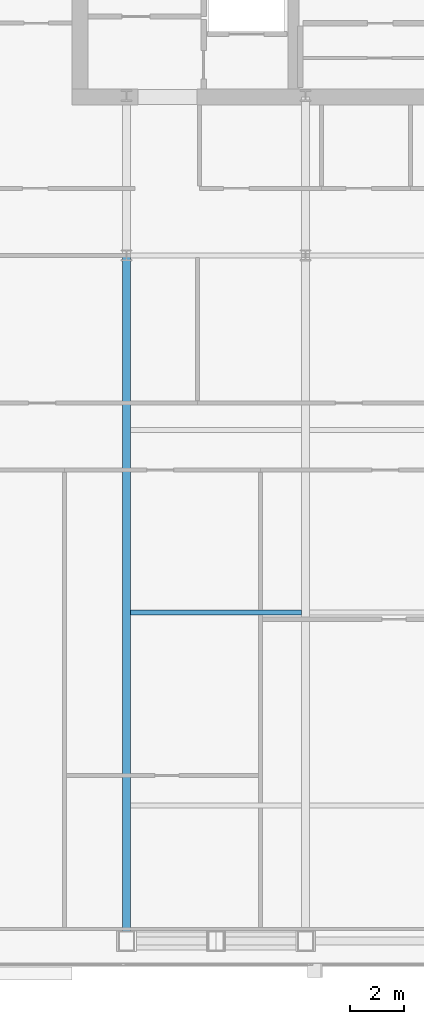
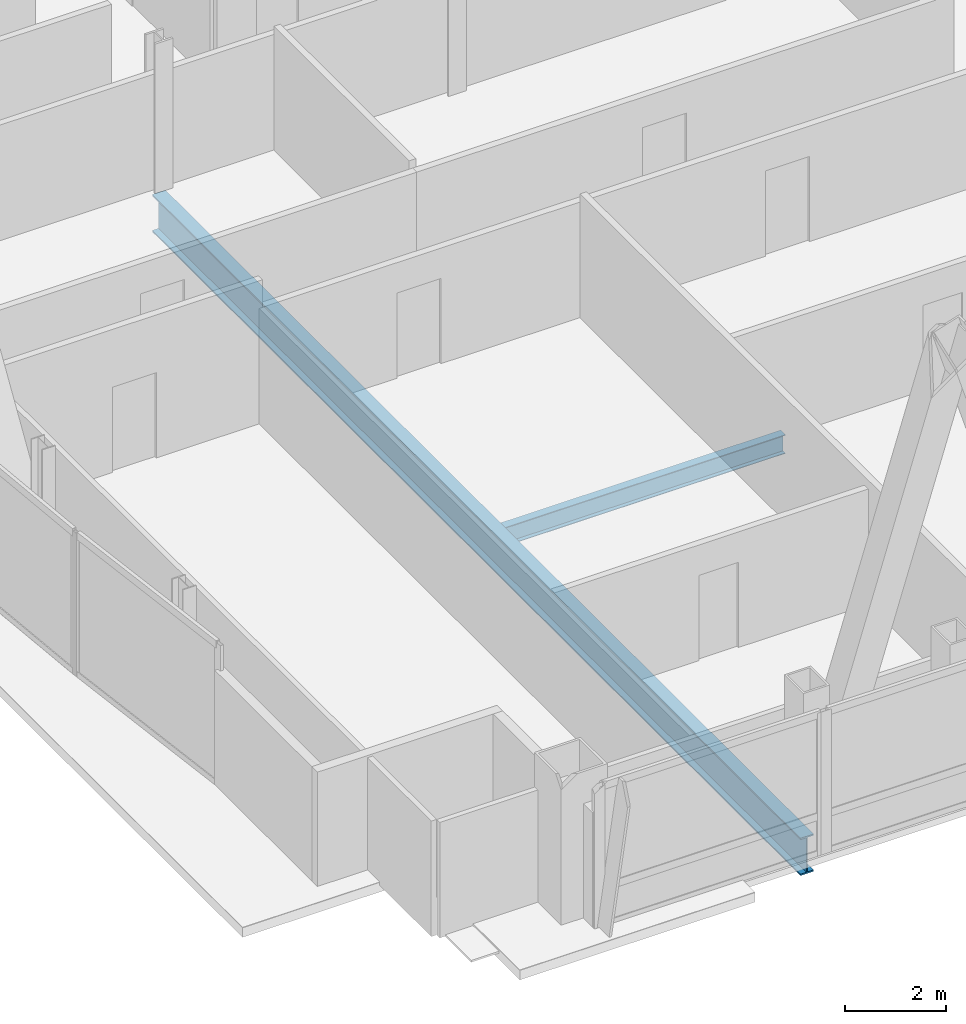
# One storey, part 7 of 30: 2 beams.
"""IFC4 building model written with IfcOpenShell, lengths in metres."""

import ifcopenshell
import ifcopenshell.guid

model = None  # the IFC model being written
_history = None  # IfcOwnerHistory: only IFC2X3 demands one
_inside = {}  # id of a spatial element -> (the spatial element, [elements in it])
_under = {}  # id of a project, library or spatial element -> (it, [spatial elements below it])
_declared = {}  # id of a project -> (the project, [libraries it declares])
_typed = {}  # id of a type object -> (the type object, [elements of that type])
_made_of = {}  # id of a material, layer set ... -> (it, [elements and type objects made of it])


def new_model(schema):
    """Start an empty IFC model of exactly this schema.

    Asked for "IFC4X3", IfcOpenShell would pick the latest addendum, in which some entities
    have other attributes; the version numbers below select the first issue.
    IFC2X3 requires an IfcOwnerHistory on every rooted entity: one is made here for all.
    """
    global model, _history
    if schema == "IFC4X3":
        model = ifcopenshell.file(schema_version=(4, 3, 0, 0))
    else:
        model = ifcopenshell.file(schema=schema)
    _inside.clear()
    _under.clear()
    _declared.clear()
    _typed.clear()
    _made_of.clear()
    _history = None
    if model.schema == "IFC2X3":
        org = make("IfcOrganization", Name="unknown")
        user = make(
            "IfcPersonAndOrganization",
            ThePerson=make("IfcPerson", FamilyName="unknown"),
            TheOrganization=org,
        )
        app = make(
            "IfcApplication",
            ApplicationDeveloper=org,
            Version="unknown",
            ApplicationFullName="unknown",
            ApplicationIdentifier="unknown",
        )
        _history = make(
            "IfcOwnerHistory",
            OwningUser=user,
            OwningApplication=app,
            ChangeAction="ADDED",
            CreationDate=0,
        )
    return model


def make(cls, **values):
    """One entity of the class cls with the attributes given. An attribute that is None is left unset."""
    return model.create_entity(
        cls, **{name: value for name, value in values.items() if value is not None}
    )


def rooted(cls, **values):
    """An entity with a GlobalId (a new one), such as an element, a storey or a relation."""
    return make(cls, GlobalId=ifcopenshell.guid.new(), OwnerHistory=_history, **values)


def si_unit(unit_type, name, prefix=None):
    """IfcSIUnit, for example si_unit("LENGTHUNIT", "METRE", prefix="MILLI")."""
    return make("IfcSIUnit", UnitType=unit_type, Prefix=prefix, Name=name)


def assignment(units):
    """IfcUnitAssignment: the units of a project."""
    return None if units is None else make("IfcUnitAssignment", Units=units)


def point(xyz):
    """IfcCartesianPoint."""
    return None if xyz is None else make("IfcCartesianPoint", Coordinates=xyz)


def direction(xyz):
    """IfcDirection."""
    return None if xyz is None else make("IfcDirection", DirectionRatios=xyz)


def frame(location, z_axis=None, x_axis=None):
    """IfcAxis2Placement3D, a coordinate frame: its origin and axes. An axis left out is left unset."""
    return make(
        "IfcAxis2Placement3D",
        Location=point(location),
        Axis=direction(z_axis),
        RefDirection=direction(x_axis),
    )


def frame_2d(location, x_axis=None):
    """IfcAxis2Placement2D, a coordinate frame in the plane: its origin and x axis."""
    return make(
        "IfcAxis2Placement2D", Location=point(location), RefDirection=direction(x_axis)
    )


def origin():
    """The frame at (0, 0, 0) with its axes left unset."""
    return frame((0.0, 0.0, 0.0))


def origin_2d():
    """The frame at (0, 0) in the plane with its x axis left unset."""
    return frame_2d((0.0, 0.0))


def place(relative_to, where):
    """IfcLocalPlacement: puts the frame where relative to a parent placement (None: the world)."""
    return make(
        "IfcLocalPlacement", PlacementRelTo=relative_to, RelativePlacement=where
    )


def context(
    kind, dimensions, precision=None, world=None, true_north=None, identifier=None
):
    """IfcGeometricRepresentationContext, for example the 3D "Model" context."""
    return make(
        "IfcGeometricRepresentationContext",
        ContextIdentifier=identifier,
        ContextType=kind,
        CoordinateSpaceDimension=dimensions,
        Precision=precision,
        WorldCoordinateSystem=world,
        TrueNorth=true_north,
    )


def subcontext(parent, identifier, kind, view, scale=None):
    """IfcGeometricRepresentationSubContext, for example "Body" below "Model"."""
    return make(
        "IfcGeometricRepresentationSubContext",
        ContextIdentifier=identifier,
        ContextType=kind,
        ParentContext=parent,
        TargetScale=scale,
        TargetView=view,
    )


def project(units=None, contexts=None):
    """IfcProject with its units and contexts."""
    return rooted(
        "IfcProject",
        Name="project",
        RepresentationContexts=contexts,
        UnitsInContext=assignment(units),
    )


def spatial(cls, under=None, at=None, **own):
    """A site, building, storey or space (cls), placed at a placement, below another one or the project."""
    s = rooted(cls, ObjectPlacement=at, **own)
    if under is not None:
        _under.setdefault(under.id(), (under, []))[1].append(s)
    return s


def profile(cls, at=None, kind="AREA", **sizes):
    """A parametric profile (cls). Its sizes go by their IFC names, for example OverallWidth=200.0."""
    return make(cls, ProfileType=kind, Position=at, **sizes)


def i_section(**sizes):
    """IfcIShapeProfileDef."""
    return profile("IfcIShapeProfileDef", **sizes)


def extrude(swept, where, along, depth):
    """IfcExtrudedAreaSolid: the profile swept, set in the frame where, extruded along a direction by depth."""
    return make(
        "IfcExtrudedAreaSolid",
        SweptArea=swept,
        Position=where,
        ExtrudedDirection=direction(along),
        Depth=depth,
    )


def shape(context_of_items, identifier, shape_type, items):
    """IfcShapeRepresentation: the items that make up one representation, for example the "Body"."""
    return make(
        "IfcShapeRepresentation",
        ContextOfItems=context_of_items,
        RepresentationIdentifier=identifier,
        RepresentationType=shape_type,
        Items=items,
    )


def material(Name=None, Category=None):
    """IfcMaterial."""
    return make("IfcMaterial", Name=Name, Category=Category)


def material_profile(
    of_material, cross_section, Name=None, Category=None, Priority=None
):
    """IfcMaterialProfile: a cross section and its material."""
    return make(
        "IfcMaterialProfile",
        Name=Name,
        Material=of_material,
        Profile=cross_section,
        Priority=Priority,
        Category=Category,
    )


def profile_set(profiles, Name=None, composite=None):
    """IfcMaterialProfileSet."""
    return make(
        "IfcMaterialProfileSet",
        Name=Name,
        MaterialProfiles=profiles,
        CompositeProfile=composite,
    )


def made_of(thing, what):
    """Note that an element or type object is made of a material, layer set ...; save() writes the relation."""
    if what is not None:
        _made_of.setdefault(what.id(), (what, []))[1].append(thing)
    return thing


def type_object(cls, material=None, **own):
    """A type object (cls), such as IfcWallType, which elements share."""
    return made_of(rooted(cls, **own), material)


def element(
    cls,
    number,
    at=None,
    inside=None,
    cuts=None,
    type_object=None,
    material=None,
    context=None,
    identifier="Body",
    shape_type=None,
    held_by="IfcProductDefinitionShape",
    body=None,
    shapes=None,
    **own,
):
    """One element of the class cls, such as IfcWall. Its Tag is "e" and its number.

    at: its placement. inside: the storey or other place that contains it. cuts: it is an
    opening in that element (IfcRelVoidsElement). A single representation is given by context,
    identifier, shape_type and body (its items); several are given by shapes. held_by: the class
    of the entity that holds the representations. save() writes the other relations.
    """
    e = rooted(cls, Tag="e%d" % number, ObjectPlacement=at, **own)
    if body is not None:
        shapes = [shape(context, identifier, shape_type, body)]
    if shapes is not None:
        e.Representation = make(held_by, Representations=shapes)
    if inside is not None:
        _inside.setdefault(inside.id(), (inside, []))[1].append(e)
    if cuts is not None:
        rooted(
            "IfcRelVoidsElement", RelatingBuildingElement=cuts, RelatedOpeningElement=e
        )
    if type_object is not None:
        _typed.setdefault(type_object.id(), (type_object, []))[1].append(e)
    return made_of(e, material)


def aggregate(whole, parts):
    """IfcRelAggregates: a whole, such as a stair, and the parts it consists of."""
    return rooted("IfcRelAggregates", RelatingObject=whole, RelatedObjects=parts)


def save(model, path):
    """Write the relations noted so far, then the file.

    IfcRelAggregates (storeys below a building ...), IfcRelContainedInSpatialStructure (elements
    in a storey), IfcRelDefinesByType, IfcRelAssociatesMaterial and IfcRelDeclares: one each for
    every whole, place, type object, material and project.
    """
    for whole, parts in _under.values():
        aggregate(whole, parts)
    for where, things in _inside.values():
        rooted(
            "IfcRelContainedInSpatialStructure",
            RelatedElements=things,
            RelatingStructure=where,
        )
    for kind, things in _typed.values():
        rooted("IfcRelDefinesByType", RelatedObjects=things, RelatingType=kind)
    for what, things in _made_of.values():
        rooted("IfcRelAssociatesMaterial", RelatedObjects=things, RelatingMaterial=what)
    for by, libraries in _declared.values():
        rooted("IfcRelDeclares", RelatingContext=by, RelatedDefinitions=libraries)
    model.write(path)


model = new_model("IFC4")

# Units and contexts
model_context = context("Model", 3, precision=1e-05, world=origin(), true_north=direction((0.0, 1.0)))
body_context = subcontext(model_context, "Body", "Model", "MODEL_VIEW")
ifc_project = project(units=[si_unit("LENGTHUNIT", "METRE"), si_unit("AREAUNIT", "SQUARE_METRE"), si_unit("VOLUMEUNIT", "CUBIC_METRE"), si_unit("PLANEANGLEUNIT", "RADIAN"), si_unit("MASSUNIT", "GRAM", prefix="KILO")], contexts=[model_context])

# Site, building, storey
site_placement = place(None, origin())
site = spatial("IfcSite", under=ifc_project, at=site_placement, CompositionType="ELEMENT")
building_placement = place(site_placement, origin())
building = spatial("IfcBuilding", under=site, at=building_placement, Name="Khoronbel Lancet Exchange", CompositionType="ELEMENT")
storey_placement = place(building_placement, frame((0.0, 0.0, 239.0)))
storey = spatial("IfcBuildingStorey", under=building, at=storey_placement, Name="L61", CompositionType="ELEMENT", Elevation=239.0)

# Beams
ifc_material = material(Name="Steel S355", Category="steel")
ifc_material_profile_1 = material_profile(ifc_material, i_section(OverallWidth=0.300048828125, OverallDepth=0.89990234375, WebThickness=0.0185546875, FlangeThickness=0.034912109375, at=origin_2d()), Name="HEB 900")
ifc_profile_set_1 = profile_set([ifc_material_profile_1], Name="Steel S355")
beam_type_1 = type_object("IfcBeamType", Name="BM-BG1", PredefinedType="BEAM", material=ifc_profile_set_1)
beam_1_placement = place(storey_placement, frame((18.22509765625, 10.14990234375, -0.610107421875), z_axis=(0.0, 1.0, 0.0), x_axis=(-1.0, 0.0, 0.0)))
element("IfcBeam", 1, at=beam_1_placement, inside=storey, type_object=beam_type_1, Name="Level L61 south primary girder GS1", PredefinedType="BEAM", context=body_context, shape_type="SweptSolid", body=[
    extrude(i_section(OverallWidth=0.300048828125, OverallDepth=0.89990234375, WebThickness=0.0185546875, FlangeThickness=0.034912109375, at=origin_2d()), origin(), (0.0, 0.0, 1.0), 25.550048828125),
])
ifc_material_profile_2 = material_profile(ifc_material, i_section(OverallWidth=0.18994140625, OverallDepth=0.449951171875, WebThickness=0.009521484375, FlangeThickness=0.0146484375, at=origin_2d()), Name="IPE 450")
ifc_profile_set_2 = profile_set([ifc_material_profile_2], Name="Steel S355")
beam_type_2 = type_object("IfcBeamType", Name="BM-BJ4", PredefinedType="JOIST", material=ifc_profile_set_2)
beam_2_placement = place(storey_placement, frame((18.375, 22.39990234375, -0.385009765625), z_axis=(1.0, 0.0, 0.0), x_axis=(0.0, 1.0, 0.0)))
element("IfcBeam", 2, at=beam_2_placement, inside=storey, type_object=beam_type_2, Name="Level L61 secondary composite joist J06", PredefinedType="JOIST", context=body_context, shape_type="SweptSolid", body=[
    extrude(i_section(OverallWidth=0.18994140625, OverallDepth=0.449951171875, WebThickness=0.009521484375, FlangeThickness=0.0146484375, at=origin_2d()), origin(), (0.0, 0.0, 1.0), 6.375),
])

save(model, "model.ifc")
